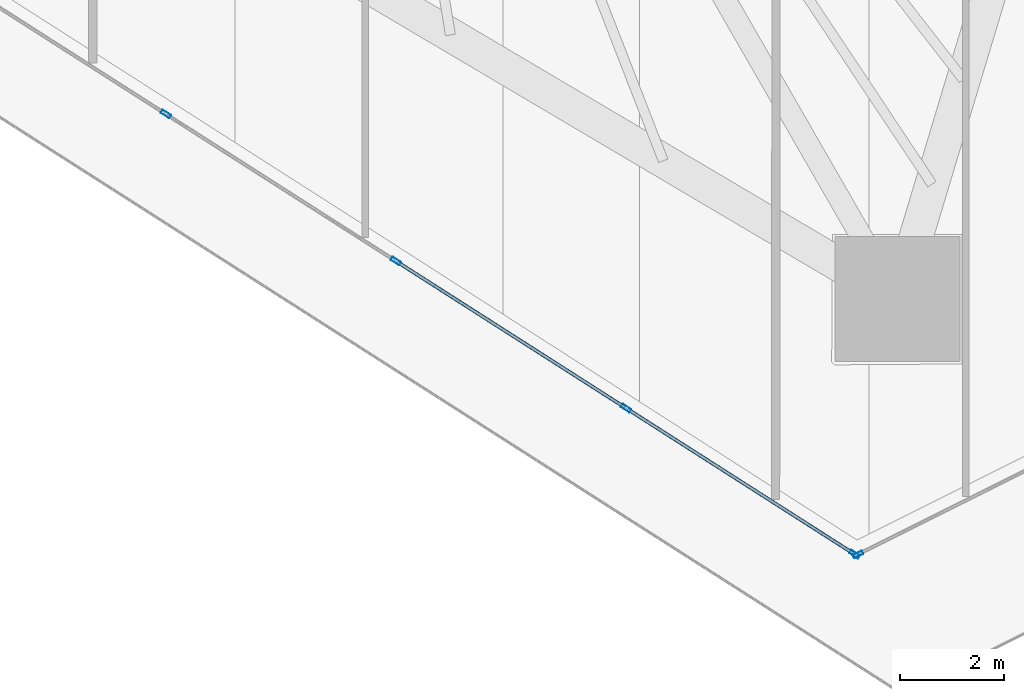
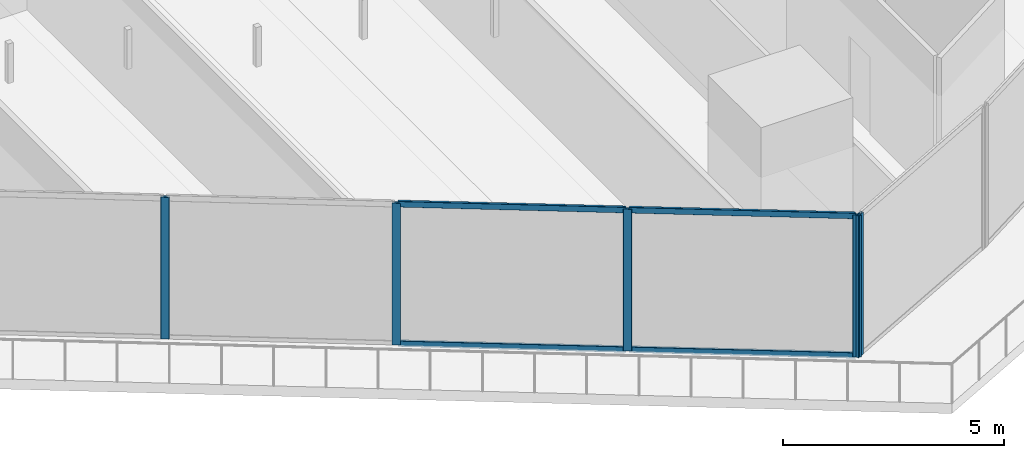
# One storey, part 6 of 44: 9 members, 2 elements without a shape of their own.
"""IFC4 building model written with IfcOpenShell, lengths in metres."""

from ifc_helpers import new_model, si_unit, direction, frame, origin, origin_2d, place, context, subcontext, project, spatial, hollow_rectangle, extrude, material, layer, layer_set, material_profile, profile_set, type_object, element, aggregate, save


model = new_model("IFC4")

# Units and contexts
model_context = context("Model", 3, precision=1e-05, world=origin(), true_north=direction((0.0, 1.0)))
body_context = subcontext(model_context, "Body", "Model", "MODEL_VIEW")
ifc_project = project(units=[si_unit("LENGTHUNIT", "METRE"), si_unit("AREAUNIT", "SQUARE_METRE"), si_unit("VOLUMEUNIT", "CUBIC_METRE"), si_unit("PLANEANGLEUNIT", "RADIAN"), si_unit("MASSUNIT", "GRAM", prefix="KILO")], contexts=[model_context])

# Site, building, storey
site_placement = place(None, origin())
site = spatial("IfcSite", under=ifc_project, at=site_placement, CompositionType="ELEMENT")
building_placement = place(site_placement, origin())
building = spatial("IfcBuilding", under=site, at=building_placement, Name="Qorvath Tower", CompositionType="ELEMENT")
storey_placement = place(building_placement, frame((0.0, 0.0, 78.60009765625)))
storey = spatial("IfcBuildingStorey", under=building, at=storey_placement, Name="L17", CompositionType="ELEMENT", Elevation=78.60009765625)

# Curtain wall, members
ifc_material_1 = material(Name="Anodised aluminium and triple low-E glass", Category="aluminium")
ifc_layer = layer(ifc_material_1, 0.179931640625)
ifc_layer_set = layer_set([ifc_layer], Name="CW-SYS-5")
curtain_wall_type = type_object("IfcCurtainWallType", Name="CW-SYS-5", PredefinedType="NOTDEFINED", material=ifc_layer_set)
curtain_wall_1_placement = place(storey_placement, origin())
curtain_wall_1 = element("IfcCurtainWall", 1, at=curtain_wall_1_placement, inside=storey, type_object=curtain_wall_type, Name="Curtain Wall CW-5 CW-T-L17-6.1", PredefinedType="NOTDEFINED")
ifc_material_2 = material(Name="Anodised aluminium 6063-T6", Category="aluminium")
ifc_material_profile_1 = material_profile(ifc_material_2, hollow_rectangle(XDim=0.074951171875, YDim=0.199951171875, WallThickness=0.00390625, InnerFilletRadius=0.00390625, OuterFilletRadius=0.008056640625, at=origin_2d()), Name="CWM 200x75")
ifc_profile_set_1 = profile_set([ifc_material_profile_1], Name="Anodised aluminium 6063-T6")
member_type_1 = type_object("IfcMemberType", Name="CWM-200", PredefinedType="MULLION", material=ifc_profile_set_1)
member_1_placement = place(storey_placement, frame((-28.4951171875, -23.780029296875, 0.0), z_axis=(0.0, 0.0, 1.0), x_axis=(0.538533177038, 0.842604306439, 0.0)))
member_1 = element("IfcMember", 2, at=member_1_placement, type_object=member_type_1, Name="CW-5 mullion 8", PredefinedType="MULLION", context=body_context, shape_type="SweptSolid", body=[
    extrude(hollow_rectangle(XDim=0.074951171875, YDim=0.199951171875, WallThickness=0.00390625, InnerFilletRadius=0.00390625, OuterFilletRadius=0.008056640625, at=origin_2d()), origin(), (0.0, 0.0, 1.0), 3.919921875),
])
member_2_placement = place(storey_placement, frame((-24.080810546875, -26.601318359375, 0.0), z_axis=(0.0, 0.0, 1.0), x_axis=(0.538533177038, 0.842604306439, 0.0)))
member_2 = element("IfcMember", 3, at=member_2_placement, type_object=member_type_1, Name="CW-5 mullion 9", PredefinedType="MULLION", context=body_context, shape_type="SweptSolid", body=[
    extrude(hollow_rectangle(XDim=0.074951171875, YDim=0.199951171875, WallThickness=0.00390625, InnerFilletRadius=0.00390625, OuterFilletRadius=0.008056640625, at=origin_2d()), origin(), (0.0, 0.0, 1.0), 3.919921875),
])
member_3_placement = place(storey_placement, frame((-19.666259765625, -29.4228515625, 0.0), z_axis=(0.0, 0.0, 1.0), x_axis=(0.538533177038, 0.842604306439, 0.0)))
member_3 = element("IfcMember", 4, at=member_3_placement, type_object=member_type_1, Name="CW-5 mullion 10", PredefinedType="MULLION", context=body_context, shape_type="SweptSolid", body=[
    extrude(hollow_rectangle(XDim=0.074951171875, YDim=0.199951171875, WallThickness=0.00390625, InnerFilletRadius=0.00390625, OuterFilletRadius=0.008056640625, at=origin_2d()), origin(), (0.0, 0.0, 1.0), 3.919921875),
])
member_4_placement = place(storey_placement, frame((-15.28369140625, -32.223876953125, 0.0), z_axis=(0.0, 0.0, 1.0), x_axis=(0.538533177038, 0.842604306439, 0.0)))
member_4 = element("IfcMember", 5, at=member_4_placement, type_object=member_type_1, Name="CW-5 mullion 11", PredefinedType="MULLION", context=body_context, shape_type="SweptSolid", body=[
    extrude(hollow_rectangle(XDim=0.074951171875, YDim=0.199951171875, WallThickness=0.00390625, InnerFilletRadius=0.00390625, OuterFilletRadius=0.008056640625, at=origin_2d()), origin(), (0.0, 0.0, 1.0), 3.919921875),
])

# Curtain wall, member
curtain_wall_2_placement = place(storey_placement, origin())
curtain_wall_2 = element("IfcCurtainWall", 6, at=curtain_wall_2_placement, inside=storey, type_object=curtain_wall_type, Name="Curtain Wall CW-5 CW-T-L17-7.1", PredefinedType="NOTDEFINED")
member_5_placement = place(storey_placement, frame((-15.218505859375, -32.227294921875, 0.0), z_axis=(0.0, 0.0, 1.0), x_axis=(-0.4472058288, 0.894431074308, 0.0)))
member_5 = element("IfcMember", 7, at=member_5_placement, type_object=member_type_1, Name="CW-5 mullion 1", PredefinedType="MULLION", context=body_context, shape_type="SweptSolid", body=[
    extrude(hollow_rectangle(XDim=0.074951171875, YDim=0.199951171875, WallThickness=0.00390625, InnerFilletRadius=0.00390625, OuterFilletRadius=0.008056640625, at=origin_2d()), origin(), (0.0, 0.0, 1.0), 3.919921875),
])
aggregate(curtain_wall_2, [member_5])

# Member
ifc_material_3 = material(Name="Anodised aluminium 6063-T6", Category="aluminium")
ifc_material_profile_2 = material_profile(ifc_material_3, hollow_rectangle(XDim=0.06494140625, YDim=0.159912109375, WallThickness=0.00341796875, InnerFilletRadius=0.00341796875, OuterFilletRadius=0.007080078125, at=origin_2d()), Name="CWT 160x65")
ifc_profile_set_2 = profile_set([ifc_material_profile_2], Name="Anodised aluminium 6063-T6")
member_type_2 = type_object("IfcMemberType", Name="CWT-160", PredefinedType="USERDEFINED", material=ifc_profile_set_2)
member_6_placement = place(storey_placement, frame((-24.049072265625, -26.62158203125, 0.032470703125), z_axis=(0.842594952628, -0.538547811996, 0.0), x_axis=(0.538547811996, 0.842594952628, 0.0)))
member_6 = element("IfcMember", 8, at=member_6_placement, type_object=member_type_2, Name="CW-5 transom 9.1", ObjectType="TRANSOM", PredefinedType="USERDEFINED", context=body_context, shape_type="SweptSolid", body=[
    extrude(hollow_rectangle(XDim=0.06494140625, YDim=0.159912109375, WallThickness=0.00341796875, InnerFilletRadius=0.00341796875, OuterFilletRadius=0.007080078125, at=origin_2d()), origin(), (0.0, 0.0, 1.0), 5.163818359375),
])

member_7_placement = place(storey_placement, frame((-24.049072265625, -26.62158203125, 3.887451171875), z_axis=(0.842594952628, -0.538547811996, 0.0), x_axis=(0.538547811996, 0.842594952628, 0.0)))
member_7 = element("IfcMember", 9, at=member_7_placement, type_object=member_type_2, Name="CW-5 transom 9.2", ObjectType="TRANSOM", PredefinedType="USERDEFINED", context=body_context, shape_type="SweptSolid", body=[
    extrude(hollow_rectangle(XDim=0.06494140625, YDim=0.159912109375, WallThickness=0.00341796875, InnerFilletRadius=0.00341796875, OuterFilletRadius=0.007080078125, at=origin_2d()), origin(), (0.0, 0.0, 1.0), 5.163818359375),
])

member_8_placement = place(storey_placement, frame((-19.634765625, -29.44287109375, 0.032470703125), z_axis=(0.842606819938, -0.538529244326, 0.0), x_axis=(0.538529244326, 0.842606819938, 0.0)))
member_8 = element("IfcMember", 10, at=member_8_placement, type_object=member_type_2, Name="CW-5 transom 10.1", ObjectType="TRANSOM", PredefinedType="USERDEFINED", context=body_context, shape_type="SweptSolid", body=[
    extrude(hollow_rectangle(XDim=0.06494140625, YDim=0.159912109375, WallThickness=0.00341796875, InnerFilletRadius=0.00341796875, OuterFilletRadius=0.007080078125, at=origin_2d()), origin(), (0.0, 0.0, 1.0), 5.12646484375),
])

member_9_placement = place(storey_placement, frame((-19.634765625, -29.44287109375, 3.887451171875), z_axis=(0.842606819938, -0.538529244326, 0.0), x_axis=(0.538529244326, 0.842606819938, 0.0)))
member_9 = element("IfcMember", 11, at=member_9_placement, type_object=member_type_2, Name="CW-5 transom 10.2", ObjectType="TRANSOM", PredefinedType="USERDEFINED", context=body_context, shape_type="SweptSolid", body=[
    extrude(hollow_rectangle(XDim=0.06494140625, YDim=0.159912109375, WallThickness=0.00341796875, InnerFilletRadius=0.00341796875, OuterFilletRadius=0.007080078125, at=origin_2d()), origin(), (0.0, 0.0, 1.0), 5.12646484375),
])

aggregate(curtain_wall_1, [member_1, member_2, member_3, member_4, member_6, member_7, member_8, member_9])

save(model, "model.ifc")
